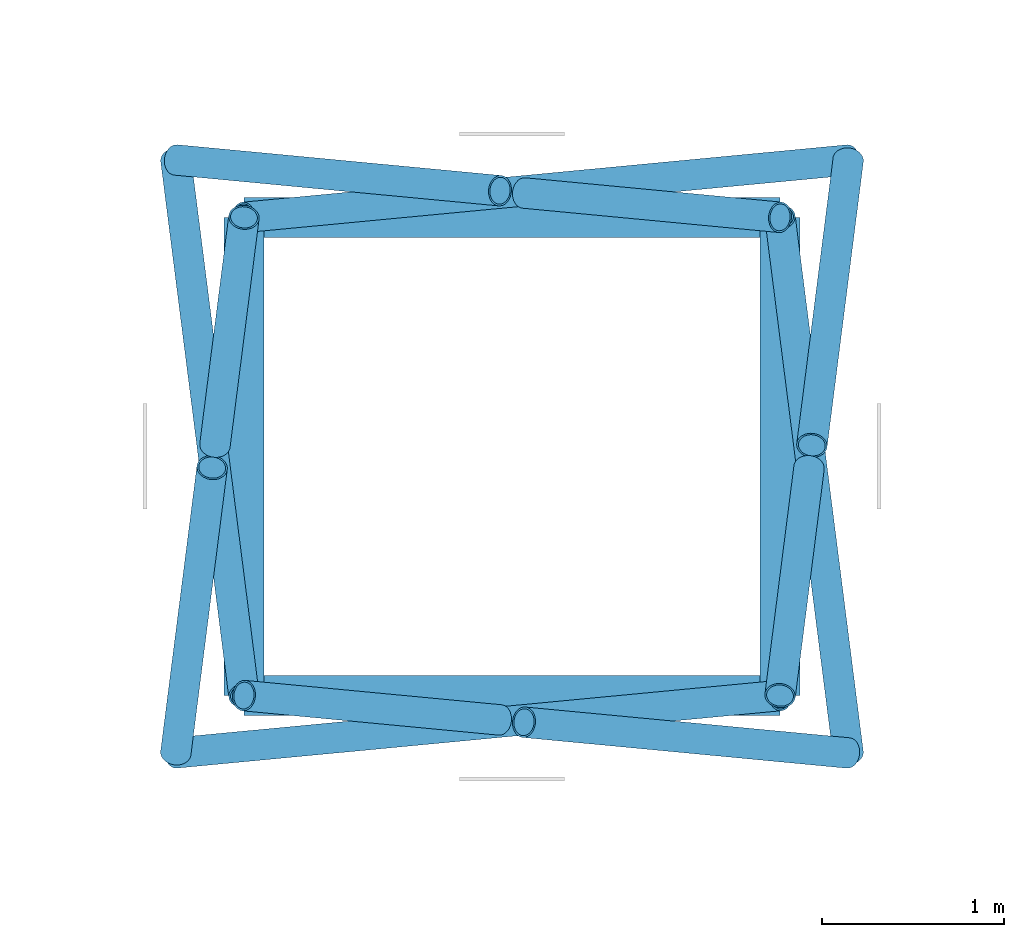
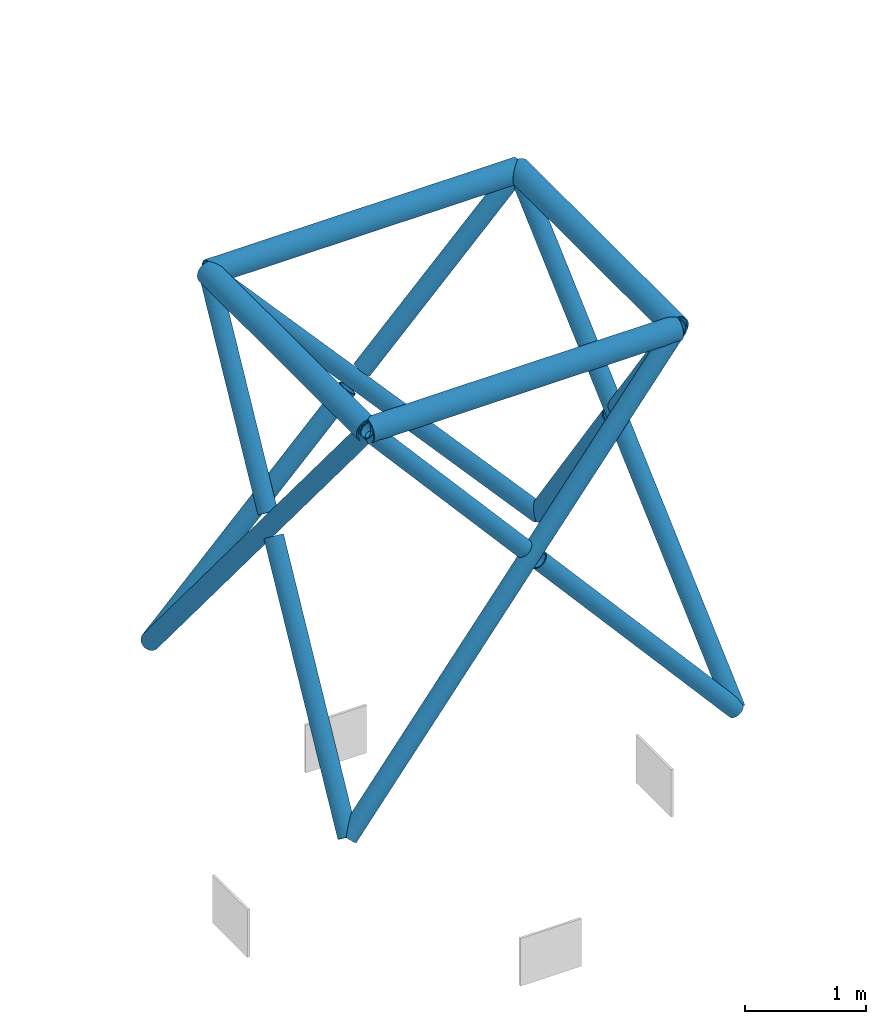
# One storey, part 41 of 143: 16 members.
"""IFC4 building model written with IfcOpenShell, lengths in metres."""

from ifc_helpers import new_model, si_unit, direction, frame, origin, origin_2d, place, context, subcontext, project, spatial, hollow_circle, extrude, material, material_profile, profile_set, type_object, element, save


model = new_model("IFC4")

# Units and contexts
model_context = context("Model", 3, precision=1e-05, world=origin(), true_north=direction((0.0, 1.0)))
body_context = subcontext(model_context, "Body", "Model", "MODEL_VIEW")
ifc_project = project(units=[si_unit("LENGTHUNIT", "METRE"), si_unit("AREAUNIT", "SQUARE_METRE"), si_unit("VOLUMEUNIT", "CUBIC_METRE"), si_unit("PLANEANGLEUNIT", "RADIAN"), si_unit("MASSUNIT", "GRAM", prefix="KILO")], contexts=[model_context])

# Site, building, storey
site_placement = place(None, origin())
site = spatial("IfcSite", under=ifc_project, at=site_placement, CompositionType="ELEMENT")
building_placement = place(site_placement, origin())
building = spatial("IfcBuilding", under=site, at=building_placement, Name="Cumevento Cable Car Station", CompositionType="ELEMENT")
storey_placement = place(building_placement, frame((0.0, 0.0, 9.0)))
storey = spatial("IfcBuildingStorey", under=building, at=storey_placement, Name="L03", CompositionType="ELEMENT", Elevation=9.0)

# Members
ifc_material_1 = material(Name="Steel ASTM A572 Grade 50", Category="steel")
ifc_material_profile_1 = material_profile(ifc_material_1, hollow_circle(Radius=0.109619140625, WallThickness=0.012451171875, at=origin_2d()), Name="CHS219.1x12.5")
ifc_profile_set_1 = profile_set([ifc_material_profile_1], Name="Steel ASTM A572 Grade 50")
member_type_1 = type_object("IfcMemberType", Name="Framing Brace TD-01 CHS219.1x12.5", PredefinedType="BRACE", material=ifc_profile_set_1)
member_1_placement = place(storey_placement, frame((92.525390625, 21.6845703125, 6.419921875), z_axis=(1.0, 0.0, 0.0), x_axis=(0.0, 1.0, 0.0)))
element("IfcMember", 1, at=member_1_placement, inside=storey, type_object=member_type_1, Name="PYLON_S01 Horizontal Lattice Girt #545", PredefinedType="BRACE", context=body_context, shape_type="SweptSolid", body=[
    extrude(hollow_circle(Radius=0.109619140625, WallThickness=0.012451171875, at=origin_2d()), origin(), (0.0, 0.0, 1.0), 2.94921875),
])
member_2_placement = place(storey_placement, frame((95.474609375, 21.6845703125, 6.419921875), z_axis=(0.0, 1.0, 0.0), x_axis=(-1.0, 0.0, 0.0)))
element("IfcMember", 2, at=member_2_placement, inside=storey, type_object=member_type_1, Name="PYLON_S01 Horizontal Lattice Girt #549", PredefinedType="BRACE", context=body_context, shape_type="SweptSolid", body=[
    extrude(hollow_circle(Radius=0.109619140625, WallThickness=0.012451171875, at=origin_2d()), origin(), (0.0, 0.0, 1.0), 2.630859375),
])
member_3_placement = place(storey_placement, frame((95.474609375, 24.3154296875, 6.419921875), z_axis=(-1.0, 0.0, 0.0), x_axis=(0.0, -1.0, 0.0)))
element("IfcMember", 3, at=member_3_placement, inside=storey, type_object=member_type_1, Name="PYLON_S01 Horizontal Lattice Girt #553", PredefinedType="BRACE", context=body_context, shape_type="SweptSolid", body=[
    extrude(hollow_circle(Radius=0.109619140625, WallThickness=0.012451171875, at=origin_2d()), origin(), (0.0, 0.0, 1.0), 2.94921875),
])
member_4_placement = place(storey_placement, frame((92.525390625, 24.3154296875, 6.419921875), z_axis=(0.0, -1.0, 0.0), x_axis=(1.0, 0.0, 0.0)))
element("IfcMember", 4, at=member_4_placement, inside=storey, type_object=member_type_1, Name="PYLON_S01 Horizontal Lattice Girt #557", PredefinedType="BRACE", context=body_context, shape_type="SweptSolid", body=[
    extrude(hollow_circle(Radius=0.109619140625, WallThickness=0.012451171875, at=origin_2d()), origin(), (0.0, 0.0, 1.0), 2.630859375),
])
ifc_material_2 = material(Name="Steel ASTM A572 Grade 50", Category="steel")
ifc_material_profile_2 = material_profile(ifc_material_2, hollow_circle(Radius=0.084228515625, WallThickness=0.010009765625, at=origin_2d()), Name="CHS168.3x10.0")
ifc_profile_set_2 = profile_set([ifc_material_profile_2], Name="Steel ASTM A572 Grade 50")
member_type_2 = type_object("IfcMemberType", Name="Framing Brace TD-02 CHS168.3x10.0", PredefinedType="BRACE", material=ifc_profile_set_2)
member_5_placement = place(storey_placement, frame((92.150634765625, 21.368896484375, 2.639892578125), z_axis=(0.65905867556, 0.062590001285, 0.749482590797), x_axis=(-0.094543394683, 0.995520741382, 0.0)))
element("IfcMember", 5, at=member_5_placement, inside=storey, type_object=member_type_2, Name="PYLON_S01 Lattice X-Brace A #546", PredefinedType="BRACE", context=body_context, shape_type="SweptSolid", body=[
    extrude(hollow_circle(Radius=0.084228515625, WallThickness=0.010009765625, at=origin_2d()), origin(), (0.0, 0.0, 1.0), 5.04345703125),
])
member_6_placement = place(storey_placement, frame((95.849365234375, 21.368896484375, 2.639892578125), z_axis=(-0.659028378987, 0.062519735337, 0.7495150955), x_axis=(-0.094442506502, -0.995530317452, 0.0)))
element("IfcMember", 6, at=member_6_placement, inside=storey, type_object=member_type_2, Name="PYLON_S01 Lattice X-Brace B Lower #547", PredefinedType="BRACE", context=body_context, shape_type="SweptSolid", body=[
    extrude(hollow_circle(Radius=0.084228515625, WallThickness=0.010009765625, at=origin_2d()), origin(), (0.0, 0.0, 1.0), 2.7060546875),
])
member_7_placement = place(storey_placement, frame((93.93408203125, 21.55078125, 4.818115234375), z_axis=(-0.659095395486, 0.062596928375, 0.749449720933), x_axis=(-0.094548543898, -0.995520252354, 0.0)))
element("IfcMember", 7, at=member_7_placement, inside=storey, type_object=member_type_2, Name="PYLON_S01 Lattice X-Brace B Upper #548", PredefinedType="BRACE", context=body_context, shape_type="SweptSolid", body=[
    extrude(hollow_circle(Radius=0.084228515625, WallThickness=0.010009765625, at=origin_2d()), origin(), (0.0, 0.0, 1.0), 2.13720703125),
])
member_8_placement = place(storey_placement, frame((95.849365234375, 21.368896484375, 2.639892578125), z_axis=(-0.077953913496, 0.612915818878, 0.786293447982), x_axis=(-0.99200876397, -0.12616898274, 0.0)))
element("IfcMember", 8, at=member_8_placement, inside=storey, type_object=member_type_2, Name="PYLON_S01 Lattice X-Brace A #550", PredefinedType="BRACE", context=body_context, shape_type="SweptSolid", body=[
    extrude(hollow_circle(Radius=0.084228515625, WallThickness=0.010009765625, at=origin_2d()), origin(), (0.0, 0.0, 1.0), 4.807373046875),
])
member_9_placement = place(storey_placement, frame((95.849365234375, 24.631103515625, 2.639892578125), z_axis=(-0.077971968759, -0.612909240977, 0.786296785198), x_axis=(0.992004936493, -0.126199072792, 0.0)))
element("IfcMember", 9, at=member_9_placement, inside=storey, type_object=member_type_2, Name="PYLON_S01 Lattice X-Brace B Lower #551", PredefinedType="BRACE", context=body_context, shape_type="SweptSolid", body=[
    extrude(hollow_circle(Radius=0.084228515625, WallThickness=0.010009765625, at=origin_2d()), origin(), (0.0, 0.0, 1.0), 2.561279296875),
])
member_10_placement = place(storey_placement, frame((95.634033203125, 22.938720703125, 4.81103515625), z_axis=(-0.077913155928, -0.612924781013, 0.78629050163), x_axis=(0.992017248985, -0.126102251039, 0.0)))
element("IfcMember", 10, at=member_10_placement, inside=storey, type_object=member_type_2, Name="PYLON_S01 Lattice X-Brace B Upper #552", PredefinedType="BRACE", context=body_context, shape_type="SweptSolid", body=[
    extrude(hollow_circle(Radius=0.084228515625, WallThickness=0.010009765625, at=origin_2d()), origin(), (0.0, 0.0, 1.0), 2.046142578125),
])
member_11_placement = place(storey_placement, frame((95.849365234375, 24.631103515625, 2.639892578125), z_axis=(-0.65905867556, -0.062590001285, 0.749482590797), x_axis=(0.094543394683, -0.995520741382, 0.0)))
element("IfcMember", 11, at=member_11_placement, inside=storey, type_object=member_type_2, Name="PYLON_S01 Lattice X-Brace A #554", PredefinedType="BRACE", context=body_context, shape_type="SweptSolid", body=[
    extrude(hollow_circle(Radius=0.084228515625, WallThickness=0.010009765625, at=origin_2d()), origin(), (0.0, 0.0, 1.0), 5.04345703125),
])
member_12_placement = place(storey_placement, frame((92.150634765625, 24.631103515625, 2.639892578125), z_axis=(0.659028378987, -0.062519735337, 0.7495150955), x_axis=(0.094442506502, 0.995530317452, 0.0)))
element("IfcMember", 12, at=member_12_placement, inside=storey, type_object=member_type_2, Name="PYLON_S01 Lattice X-Brace B Lower #555", PredefinedType="BRACE", context=body_context, shape_type="SweptSolid", body=[
    extrude(hollow_circle(Radius=0.084228515625, WallThickness=0.010009765625, at=origin_2d()), origin(), (0.0, 0.0, 1.0), 2.7060546875),
])
member_13_placement = place(storey_placement, frame((94.06591796875, 24.44921875, 4.818115234375), z_axis=(0.659095395486, -0.062596928375, 0.749449720933), x_axis=(0.094548543898, 0.995520252354, 0.0)))
element("IfcMember", 13, at=member_13_placement, inside=storey, type_object=member_type_2, Name="PYLON_S01 Lattice X-Brace B Upper #556", PredefinedType="BRACE", context=body_context, shape_type="SweptSolid", body=[
    extrude(hollow_circle(Radius=0.084228515625, WallThickness=0.010009765625, at=origin_2d()), origin(), (0.0, 0.0, 1.0), 2.13720703125),
])
member_14_placement = place(storey_placement, frame((92.150634765625, 24.631103515625, 2.639892578125), z_axis=(0.077953913496, -0.612915818878, 0.786293447982), x_axis=(0.99200876397, 0.12616898274, 0.0)))
element("IfcMember", 14, at=member_14_placement, inside=storey, type_object=member_type_2, Name="PYLON_S01 Lattice X-Brace A #558", PredefinedType="BRACE", context=body_context, shape_type="SweptSolid", body=[
    extrude(hollow_circle(Radius=0.084228515625, WallThickness=0.010009765625, at=origin_2d()), origin(), (0.0, 0.0, 1.0), 4.807373046875),
])
member_15_placement = place(storey_placement, frame((92.150634765625, 21.368896484375, 2.639892578125), z_axis=(0.077971968759, 0.612909240977, 0.786296785198), x_axis=(-0.992004936493, 0.126199072792, 0.0)))
element("IfcMember", 15, at=member_15_placement, inside=storey, type_object=member_type_2, Name="PYLON_S01 Lattice X-Brace B Lower #559", PredefinedType="BRACE", context=body_context, shape_type="SweptSolid", body=[
    extrude(hollow_circle(Radius=0.084228515625, WallThickness=0.010009765625, at=origin_2d()), origin(), (0.0, 0.0, 1.0), 2.561279296875),
])
member_16_placement = place(storey_placement, frame((92.365966796875, 23.061279296875, 4.81103515625), z_axis=(0.077913155928, 0.612924781013, 0.78629050163), x_axis=(-0.992017248985, 0.126102251039, 0.0)))
element("IfcMember", 16, at=member_16_placement, inside=storey, type_object=member_type_2, Name="PYLON_S01 Lattice X-Brace B Upper #560", PredefinedType="BRACE", context=body_context, shape_type="SweptSolid", body=[
    extrude(hollow_circle(Radius=0.084228515625, WallThickness=0.010009765625, at=origin_2d()), origin(), (0.0, 0.0, 1.0), 2.046142578125),
])

save(model, "model.ifc")
